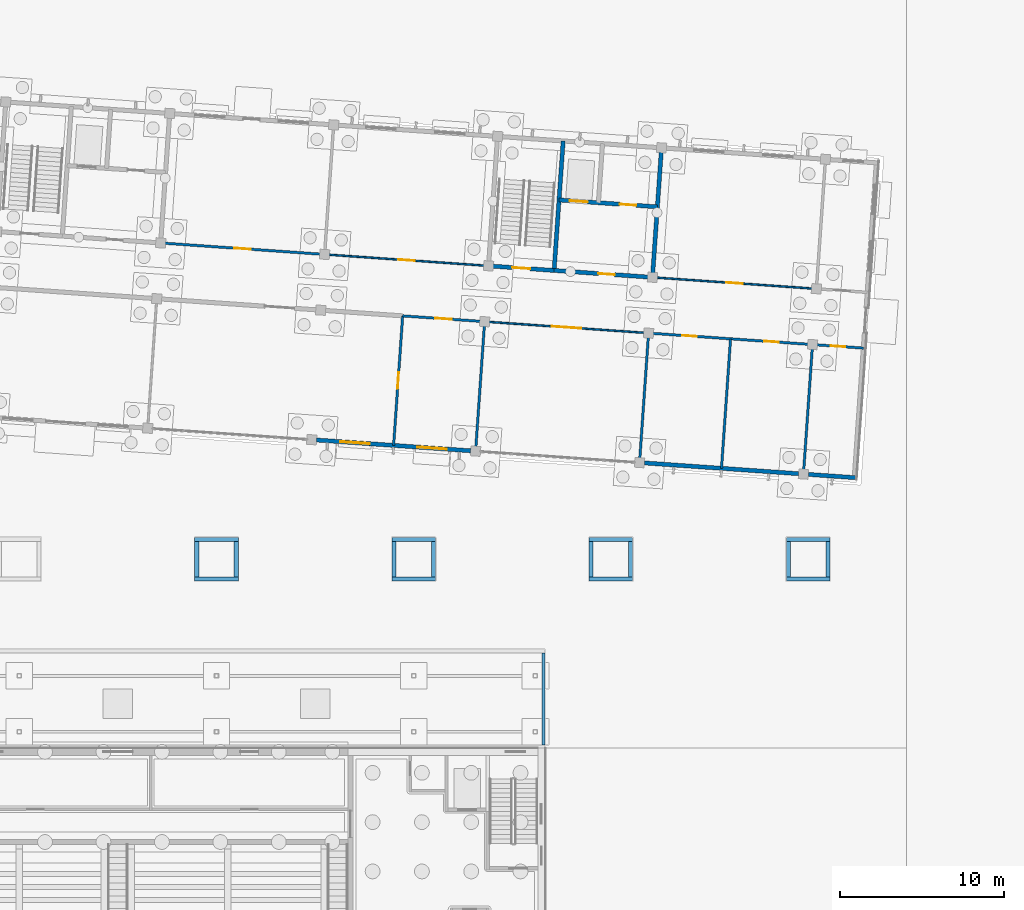
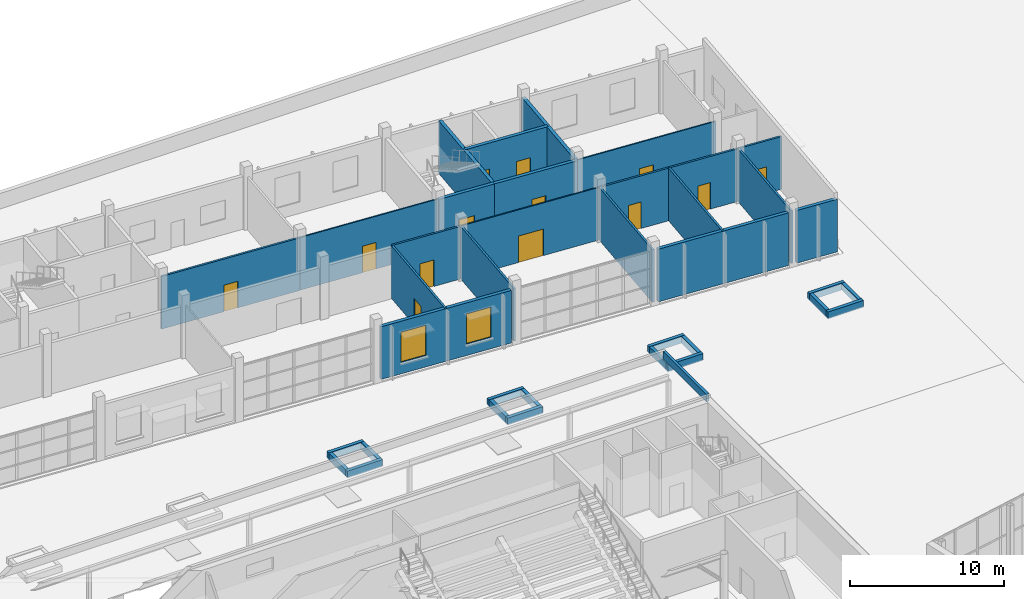
# One storey, part 106 of 157: 36 walls, 13 doors, 2 windows, 15 openings.
"""IFC4 building model written with IfcOpenShell, lengths in metres."""

from ifc_helpers import new_model, si_unit, direction, frame, frame_2d, origin, place, context, subcontext, project, spatial, rectangle, extrude, material, layer, layer_set, type_object, element, fill, save


model = new_model("IFC4")

# Units and contexts
model_context = context("Model", 3, precision=1e-05, world=origin(), true_north=direction((0.0, 1.0)))
body_context = subcontext(model_context, "Body", "Model", "MODEL_VIEW")
ifc_project = project(units=[si_unit("LENGTHUNIT", "METRE"), si_unit("AREAUNIT", "SQUARE_METRE"), si_unit("VOLUMEUNIT", "CUBIC_METRE"), si_unit("PLANEANGLEUNIT", "RADIAN"), si_unit("MASSUNIT", "GRAM", prefix="KILO")], contexts=[model_context])

# Site, building, storey
site_placement = place(None, origin())
site = spatial("IfcSite", under=ifc_project, at=site_placement, CompositionType="ELEMENT")
building_placement = place(site_placement, origin())
building = spatial("IfcBuilding", under=site, at=building_placement, Name="Windward Yard Aquatics Centre", CompositionType="ELEMENT")
storey_placement = place(building_placement, origin())
storey = spatial("IfcBuildingStorey", under=building, at=storey_placement, Name="L00", CompositionType="ELEMENT", Elevation=0.0)

# Walls
ifc_material_1 = material(Name="Concrete C35/45", Category="concrete")
ifc_layer_1 = layer(ifc_material_1, 0.199951171875)
ifc_layer_set_1 = layer_set([ifc_layer_1], Name="A arcade roof parapet 200")
wall_type_1 = type_object("IfcWallType", Name="A arcade roof parapet 200", PredefinedType="PARAPET", material=ifc_layer_set_1)
wall_1_placement = place(storey_placement, frame((151.89990234375, 96.199951171875, 4.60009765625), z_axis=(0.0, 0.0, 1.0), x_axis=(0.0, 1.0, 0.0)))
element("IfcWall", 1, at=wall_1_placement, inside=storey, type_object=wall_type_1, Name="A.W.PA.E", PredefinedType="PARAPET", context=body_context, shape_type="SweptSolid", body=[
    extrude(rectangle(XDim=5.60009765625, YDim=0.199951171875, at=frame_2d((2.800048828125, 0.0))), origin(), (0.0, 0.0, 1.0), 0.599853515625),
])
ifc_material_2 = material(Name="Concrete C40/50", Category="concrete")
ifc_layer_2 = layer(ifc_material_2, 0.25)
ifc_layer_set_2 = layer_set([ifc_layer_2], Name="W RC core wall 250 Concrete C40/50")
wall_type_2 = type_object("IfcWallType", Name="W RC core wall 250 Concrete C40/50", PredefinedType="SOLIDWALL", material=ifc_layer_set_2)
wall_2_placement = place(storey_placement, frame((152.544189453125, 125.068359375, 0.0), z_axis=(0.0, 0.0, 1.0), x_axis=(0.069782074492, 0.997562259751, 0.0)))
element("IfcWall", 2, at=wall_2_placement, inside=storey, type_object=wall_type_2, Name="W.WL.L00.012", PredefinedType="SOLIDWALL", context=body_context, shape_type="SweptSolid", body=[
    extrude(rectangle(XDim=7.89990234375, YDim=0.25, at=frame_2d((3.949951171875, 0.0))), origin(), (0.0, 0.0, 1.0), 4.169921875),
])
wall_3_placement = place(storey_placement, frame((158.52978515625, 124.649658203125, 0.0), z_axis=(0.0, 0.0, 1.0), x_axis=(0.0697491702, 0.997564560947, 0.0)))
element("IfcWall", 3, at=wall_3_placement, inside=storey, type_object=wall_type_2, Name="W.WL.L00.015", PredefinedType="SOLIDWALL", context=body_context, shape_type="SweptSolid", body=[
    extrude(rectangle(XDim=7.900146484375, YDim=0.25, at=frame_2d((3.9501953125, 0.0))), origin(), (0.0, 0.0, 1.0), 4.169921875),
])

# Wall, opening, door
wall_4_placement = place(storey_placement, frame((148.553955078125, 125.347412109375, 0.0), z_axis=(0.0, 0.0, 1.0), x_axis=(0.997563556766, -0.069763530677, 0.0)))
wall_4 = element("IfcWall", 4, at=wall_4_placement, inside=storey, type_object=wall_type_2, Name="W.WL.L00.028", PredefinedType="SOLIDWALL", context=body_context, shape_type="SweptSolid", body=[
    extrude(rectangle(XDim=4.0, YDim=0.25, at=frame_2d((2.0, 0.0))), origin(), (0.0, 0.0, 1.0), 4.169921875),
])
opening_1_placement = place(wall_4_placement, frame((1.449951171875, 0.0, 0.0)))
opening_1 = element("IfcOpeningElement", 5, at=opening_1_placement, cuts=wall_4, Name="Opening W0028", PredefinedType="OPENING", context=body_context, shape_type="SweptSolid", body=[
    extrude(rectangle(XDim=1.10009765625, YDim=2.10009765625, at=frame_2d((0.550048828125, 1.050048828125))), frame((0.0, 0.135009765625, 0.0), z_axis=(0.0, -1.0, 0.0), x_axis=(1.0, 0.0, 0.0)), (0.0, 0.0, 1.0), 0.27001953125),
])
ifc_material_3 = material(Name="Steel fire door leaf", Category="steel")
door_type_1 = type_object("IfcDoorType", Name="W stair door FD60 1100x2100", OperationType="SINGLE_SWING_LEFT", PredefinedType="DOOR", material=ifc_material_3)
door_1_placement = place(opening_1_placement, origin())
door_1 = element("IfcDoor", 6, at=door_1_placement, inside=storey, type_object=door_type_1, Name="W.DRI.L00.024", OperationType="SINGLE_SWING_RIGHT", OverallHeight=2.10009765625, OverallWidth=1.10009765625, PredefinedType="DOOR", context=body_context, shape_type="SweptSolid", body=[
    extrude(rectangle(XDim=1.10009765625, YDim=2.10009765625, at=frame_2d((0.550048828125, 1.050048828125))), frame((0.0, 0.02490234375, 0.0), z_axis=(0.0, -1.0, 0.0), x_axis=(1.0, 0.0, 0.0)), (0.0, 0.0, 1.0), 0.050048828125),
])
fill(opening_1, door_1)

wall_5_placement = place(storey_placement, frame((152.544189453125, 125.068359375, 0.0), z_axis=(0.0, 0.0, 1.0), x_axis=(0.997562338811, -0.069780944286, 0.0)))
wall_5 = element("IfcWall", 7, at=wall_5_placement, inside=storey, type_object=wall_type_2, Name="W.WL.L00.029", PredefinedType="SOLIDWALL", context=body_context, shape_type="SweptSolid", body=[
    extrude(rectangle(XDim=6.000244140625, YDim=0.25, at=frame_2d((3.0, 0.0))), origin(), (0.0, 0.0, 1.0), 4.169921875),
])
opening_2_placement = place(wall_5_placement, frame((2.699951171875, 0.0, 0.0)))
opening_2 = element("IfcOpeningElement", 8, at=opening_2_placement, cuts=wall_5, Name="Opening W0029", PredefinedType="OPENING", context=body_context, shape_type="SweptSolid", body=[
    extrude(rectangle(XDim=1.0, YDim=2.10009765625, at=frame_2d((0.5, 1.050048828125))), frame((0.0, 0.135009765625, 0.0), z_axis=(0.0, -1.0, 0.0), x_axis=(1.0, 0.0, 0.0)), (0.0, 0.0, 1.0), 0.27001953125),
])
door_type_2 = type_object("IfcDoorType", Name="W fire door FD60 1000x2100", OperationType="SINGLE_SWING_LEFT", PredefinedType="DOOR", material=ifc_material_3)
door_2_placement = place(opening_2_placement, origin())
door_2 = element("IfcDoor", 9, at=door_2_placement, inside=storey, type_object=door_type_2, Name="W.DRI.L00.025", OperationType="SINGLE_SWING_LEFT", OverallHeight=2.10009765625, OverallWidth=1.0, PredefinedType="DOOR", context=body_context, shape_type="SweptSolid", body=[
    extrude(rectangle(XDim=1.0, YDim=2.10009765625, at=frame_2d((0.5, 1.050048828125))), frame((0.0, 0.02490234375, 0.0), z_axis=(0.0, -1.0, 0.0), x_axis=(1.0, 0.0, 0.0)), (0.0, 0.0, 1.0), 0.050048828125),
])
fill(opening_2, door_2)

# Wall, openings, doors
wall_6_placement = place(storey_placement, frame((152.84423828125, 129.35791015625, 0.0), z_axis=(0.0, 0.0, 1.0), x_axis=(0.997562140671, -0.069783776768, 0.0)))
wall_6 = element("IfcWall", 10, at=wall_6_placement, inside=storey, type_object=wall_type_2, Name="W.WL.L00.033", PredefinedType="SOLIDWALL", context=body_context, shape_type="SweptSolid", body=[
    extrude(rectangle(XDim=6.0, YDim=0.25, at=frame_2d((3.0, 0.0))), origin(), (0.0, 0.0, 1.0), 4.169921875),
])
opening_3_placement = place(wall_6_placement, frame((3.699951171875, 0.0, 0.0)))
opening_3 = element("IfcOpeningElement", 11, at=opening_3_placement, cuts=wall_6, Name="Opening W0030", PredefinedType="OPENING", context=body_context, shape_type="SweptSolid", body=[
    extrude(rectangle(XDim=1.0, YDim=2.10009765625, at=frame_2d((0.5, 1.050048828125))), frame((0.0, 0.135009765625, 0.0), z_axis=(0.0, -1.0, 0.0), x_axis=(1.0, 0.0, 0.0)), (0.0, 0.0, 1.0), 0.27001953125),
])
opening_4_placement = place(wall_6_placement, frame((0.64990234375, 0.0, 0.0)))
opening_4 = element("IfcOpeningElement", 12, at=opening_4_placement, cuts=wall_6, Name="Opening W0031", PredefinedType="OPENING", context=body_context, shape_type="SweptSolid", body=[
    extrude(rectangle(XDim=1.10009765625, YDim=2.10009765625, at=frame_2d((0.550048828125, 1.050048828125))), frame((0.0, 0.135009765625, 0.0), z_axis=(0.0, -1.0, 0.0), x_axis=(1.0, 0.0, 0.0)), (0.0, 0.0, 1.0), 0.27001953125),
])
door_3_placement = place(opening_3_placement, origin())
door_3 = element("IfcDoor", 13, at=door_3_placement, inside=storey, type_object=door_type_2, Name="W.DRI.L00.026", OperationType="SINGLE_SWING_RIGHT", OverallHeight=2.10009765625, OverallWidth=1.0, PredefinedType="DOOR", context=body_context, shape_type="SweptSolid", body=[
    extrude(rectangle(XDim=1.0, YDim=2.10009765625, at=frame_2d((0.5, 1.050048828125))), frame((0.0, 0.02490234375, 0.0), z_axis=(0.0, -1.0, 0.0), x_axis=(1.0, 0.0, 0.0)), (0.0, 0.0, 1.0), 0.050048828125),
])
fill(opening_3, door_3)
ifc_material_4 = material(Name="Stainless steel sliding door leaf", Category="steel")
door_type_3 = type_object("IfcDoorType", Name="W lift landing door 1100x2100", OperationType="SLIDING_TO_LEFT", PredefinedType="DOOR", material=ifc_material_4)
door_4_placement = place(opening_4_placement, origin())
door_4 = element("IfcDoor", 14, at=door_4_placement, inside=storey, type_object=door_type_3, Name="Landing door E L00", OperationType="SLIDING_TO_LEFT", OverallHeight=2.10009765625, OverallWidth=1.10009765625, PredefinedType="DOOR", context=body_context, shape_type="SweptSolid", body=[
    extrude(rectangle(XDim=1.10009765625, YDim=2.10009765625, at=frame_2d((0.550048828125, 1.050048828125))), frame((0.0, 0.02490234375, 0.0), z_axis=(0.0, -1.0, 0.0), x_axis=(1.0, 0.0, 0.0)), (0.0, 0.0, 1.0), 0.050048828125),
])
fill(opening_4, door_4)

# Wall, openings, windows
ifc_layer_3 = layer(ifc_material_2, 0.25)
ifc_layer_set_3 = layer_set([ifc_layer_3], Name="W facade wall 250 Precast Concrete C40/50")
wall_type_3 = type_object("IfcWallType", Name="W facade wall 250 Precast Concrete C40/50", PredefinedType="SOLIDWALL", material=ifc_layer_set_3)
wall_7_placement = place(storey_placement, frame((138.08935546875, 114.75146484375, 0.0), z_axis=(0.0, 0.0, 1.0), x_axis=(0.997563722981, -0.069761153894, 0.0)))
wall_7 = element("IfcWall", 15, at=wall_7_placement, inside=storey, type_object=wall_type_3, Name="W.FW.L00.S.66.8", PredefinedType="SOLIDWALL", context=body_context, shape_type="SweptSolid", body=[
    extrude(rectangle(XDim=9.400146484375, YDim=0.25, at=frame_2d((4.7001953125, 0.0))), origin(), (0.0, 0.0, 1.0), 4.169921875),
])
opening_5_placement = place(wall_7_placement, frame((1.449951171875, 0.0, 0.89990234375)))
opening_5 = element("IfcOpeningElement", 16, at=opening_5_placement, cuts=wall_7, Name="Opening W0503", PredefinedType="OPENING", context=body_context, shape_type="SweptSolid", body=[
    extrude(rectangle(XDim=1.800048828125, YDim=2.39990234375, at=frame_2d((0.89990234375, 1.199951171875))), frame((0.0, 0.135009765625, 0.0), z_axis=(0.0, -1.0, 0.0), x_axis=(1.0, 0.0, 0.0)), (0.0, 0.0, 1.0), 0.27001953125),
])
opening_6_placement = place(wall_7_placement, frame((6.14990234375, 0.0, 0.89990234375)))
opening_6 = element("IfcOpeningElement", 17, at=opening_6_placement, cuts=wall_7, Name="Opening W0504", PredefinedType="OPENING", context=body_context, shape_type="SweptSolid", body=[
    extrude(rectangle(XDim=1.800048828125, YDim=2.39990234375, at=frame_2d((0.89990234375, 1.199951171875))), frame((0.0, 0.135009765625, 0.0), z_axis=(0.0, -1.0, 0.0), x_axis=(1.0, 0.0, 0.0)), (0.0, 0.0, 1.0), 0.27001953125),
])
ifc_material_5 = material(Name="Aluminium framed glazing", Category="aluminium")
window_type = type_object("IfcWindowType", Name="W window 1800x2400", PartitioningType="SINGLE_PANEL", PredefinedType="WINDOW", material=ifc_material_5)
window_1_placement = place(opening_5_placement, origin())
window_1 = element("IfcWindow", 18, at=window_1_placement, inside=storey, type_object=window_type, Name="W.WN.L00.W0503", OverallHeight=2.39990234375, OverallWidth=1.800048828125, PartitioningType="SINGLE_PANEL", PredefinedType="WINDOW", context=body_context, shape_type="SweptSolid", body=[
    extrude(rectangle(XDim=1.800048828125, YDim=2.39990234375, at=frame_2d((0.89990234375, 1.199951171875))), frame((0.0, 0.030029296875, 0.0), z_axis=(0.0, -1.0, 0.0), x_axis=(1.0, 0.0, 0.0)), (0.0, 0.0, 1.0), 0.06005859375),
])
fill(opening_5, window_1)
window_2_placement = place(opening_6_placement, origin())
window_2 = element("IfcWindow", 19, at=window_2_placement, inside=storey, type_object=window_type, Name="W.WN.L00.W0504", OverallHeight=2.39990234375, OverallWidth=1.800048828125, PartitioningType="SINGLE_PANEL", PredefinedType="WINDOW", context=body_context, shape_type="SweptSolid", body=[
    extrude(rectangle(XDim=1.800048828125, YDim=2.39990234375, at=frame_2d((0.89990234375, 1.199951171875))), frame((0.0, 0.030029296875, 0.0), z_axis=(0.0, -1.0, 0.0), x_axis=(1.0, 0.0, 0.0)), (0.0, 0.0, 1.0), 0.06005859375),
])
fill(opening_6, window_2)

# Walls
wall_8_placement = place(storey_placement, frame((158.040771484375, 113.356201171875, 0.0), z_axis=(0.0, 0.0, 1.0), x_axis=(0.997565403773, -0.069737114901, 0.0)))
element("IfcWall", 20, at=wall_8_placement, inside=storey, type_object=wall_type_3, Name="W.FW.L00.S.86.8", PredefinedType="SOLIDWALL", context=body_context, shape_type="SweptSolid", body=[
    extrude(rectangle(XDim=9.39990234375, YDim=0.25, at=frame_2d((4.699951171875, 0.0))), origin(), (0.0, 0.0, 1.0), 4.169921875),
])
wall_9_placement = place(storey_placement, frame((168.016357421875, 112.65869140625, 0.0), z_axis=(0.0, 0.0, 1.0), x_axis=(0.997562280272, -0.069781781132, 0.0)))
element("IfcWall", 21, at=wall_9_placement, inside=storey, type_object=wall_type_3, Name="W.FW.L00.S.96.8", PredefinedType="SOLIDWALL", context=body_context, shape_type="SweptSolid", body=[
    extrude(rectangle(XDim=2.9248046875, YDim=0.25, at=frame_2d((1.46240234375, 0.0))), origin(), (0.0, 0.0, 1.0), 4.169921875),
])

# Wall, opening, door
ifc_material_6 = material(Name="Plasterboard on steel stud partition", Category="steel")
ifc_layer_4 = layer(ifc_material_6, 0.10009765625)
ifc_layer_set_4 = layer_set([ifc_layer_4], Name="W partition 100")
wall_type_4 = type_object("IfcWallType", Name="W partition 100", PredefinedType="PARTITIONING", material=ifc_layer_set_4)
wall_10_placement = place(storey_placement, frame((148.31689453125, 121.95556640625, 0.0), z_axis=(0.0, 0.0, 1.0), x_axis=(0.997564406228, -0.069751382981, 0.0)))
wall_10 = element("IfcWall", 22, at=wall_10_placement, inside=storey, type_object=wall_type_4, Name="W.WL.L00.021", PredefinedType="PARTITIONING", context=body_context, shape_type="SweptSolid", body=[
    extrude(rectangle(XDim=10.0, YDim=0.10009765625, at=frame_2d((5.0, 0.0))), origin(), (0.0, 0.0, 1.0), 4.169921875),
])
opening_7_placement = place(wall_10_placement, frame((4.10009765625, 0.0, 0.0)))
opening_7 = element("IfcOpeningElement", 23, at=opening_7_placement, cuts=wall_10, Name="Opening W0014", PredefinedType="OPENING", context=body_context, shape_type="SweptSolid", body=[
    extrude(rectangle(XDim=1.800048828125, YDim=2.10009765625, at=frame_2d((0.89990234375, 1.050048828125))), frame((0.0, 0.06005859375, 0.0), z_axis=(0.0, -1.0, 0.0), x_axis=(1.0, 0.0, 0.0)), (0.0, 0.0, 1.0), 0.1201171875),
])
ifc_material_7 = material(Name="Timber door leaf", Category="wood")
door_type_4 = type_object("IfcDoorType", Name="W double door 1800x2100", OperationType="DOUBLE_DOOR_SINGLE_SWING", PredefinedType="DOOR", material=ifc_material_7)
door_5_placement = place(opening_7_placement, origin())
door_5 = element("IfcDoor", 24, at=door_5_placement, inside=storey, type_object=door_type_4, Name="W.DRI.L00.010", OperationType="DOUBLE_DOOR_SINGLE_SWING", OverallHeight=2.10009765625, OverallWidth=1.800048828125, PredefinedType="DOOR", context=body_context, shape_type="SweptSolid", body=[
    extrude(rectangle(XDim=1.800048828125, YDim=2.10009765625, at=frame_2d((0.89990234375, 1.050048828125))), frame((0.0, 0.02490234375, 0.0), z_axis=(0.0, -1.0, 0.0), x_axis=(1.0, 0.0, 0.0)), (0.0, 0.0, 1.0), 0.050048828125),
])
fill(opening_7, door_5)

wall_11_placement = place(storey_placement, frame((138.578369140625, 126.044921875, 0.0), z_axis=(0.0, 0.0, 1.0), x_axis=(0.997564406228, -0.069751382981, 0.0)))
wall_11 = element("IfcWall", 25, at=wall_11_placement, inside=storey, type_object=wall_type_4, Name="W.WL.L00.027", PredefinedType="PARTITIONING", context=body_context, shape_type="SweptSolid", body=[
    extrude(rectangle(XDim=10.0, YDim=0.10009765625, at=frame_2d((5.0, 0.0))), origin(), (0.0, 0.0, 1.0), 4.169921875),
])
opening_8_placement = place(wall_11_placement, frame((4.5, 0.0, 0.0)))
opening_8 = element("IfcOpeningElement", 26, at=opening_8_placement, cuts=wall_11, Name="Opening W0021", PredefinedType="OPENING", context=body_context, shape_type="SweptSolid", body=[
    extrude(rectangle(XDim=1.0, YDim=2.10009765625, at=frame_2d((0.5, 1.050048828125))), frame((0.0, 0.06005859375, 0.0), z_axis=(0.0, -1.0, 0.0), x_axis=(1.0, 0.0, 0.0)), (0.0, 0.0, 1.0), 0.1201171875),
])
door_type_5 = type_object("IfcDoorType", Name="W door 1000x2100", OperationType="SINGLE_SWING_LEFT", PredefinedType="DOOR", material=ifc_material_7)
door_6_placement = place(opening_8_placement, origin())
door_6 = element("IfcDoor", 27, at=door_6_placement, inside=storey, type_object=door_type_5, Name="W.DRI.L00.017", OperationType="SINGLE_SWING_LEFT", OverallHeight=2.10009765625, OverallWidth=1.0, PredefinedType="DOOR", context=body_context, shape_type="SweptSolid", body=[
    extrude(rectangle(XDim=1.0, YDim=2.10009765625, at=frame_2d((0.5, 1.050048828125))), frame((0.0, 0.02490234375, 0.0), z_axis=(0.0, -1.0, 0.0), x_axis=(1.0, 0.0, 0.0)), (0.0, 0.0, 1.0), 0.050048828125),
])
fill(opening_8, door_6)

wall_12_placement = place(storey_placement, frame((158.52978515625, 124.649658203125, 0.0), z_axis=(0.0, 0.0, 1.0), x_axis=(0.997564406228, -0.069751382981, 0.0)))
wall_12 = element("IfcWall", 28, at=wall_12_placement, inside=storey, type_object=wall_type_4, Name="W.WL.L00.030", PredefinedType="PARTITIONING", context=body_context, shape_type="SweptSolid", body=[
    extrude(rectangle(XDim=10.0, YDim=0.10009765625, at=frame_2d((5.0, 0.0))), origin(), (0.0, 0.0, 1.0), 4.169921875),
])
opening_9_placement = place(wall_12_placement, frame((4.5, 0.0, 0.0)))
opening_9 = element("IfcOpeningElement", 29, at=opening_9_placement, cuts=wall_12, Name="Opening W0022", PredefinedType="OPENING", context=body_context, shape_type="SweptSolid", body=[
    extrude(rectangle(XDim=1.0, YDim=2.10009765625, at=frame_2d((0.5, 1.050048828125))), frame((0.0, 0.06005859375, 0.0), z_axis=(0.0, -1.0, 0.0), x_axis=(1.0, 0.0, 0.0)), (0.0, 0.0, 1.0), 0.1201171875),
])
door_7_placement = place(opening_9_placement, origin())
door_7 = element("IfcDoor", 30, at=door_7_placement, inside=storey, type_object=door_type_5, Name="W.DRI.L00.018", OperationType="SINGLE_SWING_RIGHT", OverallHeight=2.10009765625, OverallWidth=1.0, PredefinedType="DOOR", context=body_context, shape_type="SweptSolid", body=[
    extrude(rectangle(XDim=1.0, YDim=2.10009765625, at=frame_2d((0.5, 1.050048828125))), frame((0.0, 0.02490234375, 0.0), z_axis=(0.0, -1.0, 0.0), x_axis=(1.0, 0.0, 0.0)), (0.0, 0.0, 1.0), 0.050048828125),
])
fill(opening_9, door_7)

ifc_material_8 = material(Name="Blockwork partition", Category="masonry")
ifc_layer_5 = layer(ifc_material_8, 0.14990234375)
ifc_layer_set_5 = layer_set([ifc_layer_5], Name="W partition 150 fire rated")
wall_type_5 = type_object("IfcWallType", Name="W partition 150 fire rated", PredefinedType="PARTITIONING", material=ifc_layer_set_5)
wall_13_placement = place(storey_placement, frame((128.602783203125, 126.742431640625, 0.0), z_axis=(0.0, 0.0, 1.0), x_axis=(0.997564406228, -0.069751382981, 0.0)))
wall_13 = element("IfcWall", 31, at=wall_13_placement, inside=storey, type_object=wall_type_5, Name="W.WL.L00.026", PredefinedType="PARTITIONING", context=body_context, shape_type="SweptSolid", body=[
    extrude(rectangle(XDim=10.0, YDim=0.14990234375, at=frame_2d((5.0, 0.0))), origin(), (0.0, 0.0, 1.0), 4.169921875),
])
opening_10_placement = place(wall_13_placement, frame((4.5, 0.0, 0.0)))
opening_10 = element("IfcOpeningElement", 32, at=opening_10_placement, cuts=wall_13, Name="Opening W0020", PredefinedType="OPENING", context=body_context, shape_type="SweptSolid", body=[
    extrude(rectangle(XDim=1.0, YDim=2.10009765625, at=frame_2d((0.5, 1.050048828125))), frame((0.0, 0.0849609375, 0.0), z_axis=(0.0, -1.0, 0.0), x_axis=(1.0, 0.0, 0.0)), (0.0, 0.0, 1.0), 0.169921875),
])
door_8_placement = place(opening_10_placement, origin())
door_8 = element("IfcDoor", 33, at=door_8_placement, inside=storey, type_object=door_type_2, Name="W.DRI.L00.016", OperationType="SINGLE_SWING_RIGHT", OverallHeight=2.10009765625, OverallWidth=1.0, PredefinedType="DOOR", context=body_context, shape_type="SweptSolid", body=[
    extrude(rectangle(XDim=1.0, YDim=2.10009765625, at=frame_2d((0.5, 1.050048828125))), frame((0.0, 0.02490234375, 0.0), z_axis=(0.0, -1.0, 0.0), x_axis=(1.0, 0.0, 0.0)), (0.0, 0.0, 1.0), 0.050048828125),
])
fill(opening_10, door_8)

ifc_material_9 = material(Name="Blockwork partition with tiled finish", Category="masonry")
ifc_layer_6 = layer(ifc_material_9, 0.14990234375)
ifc_layer_set_6 = layer_set([ifc_layer_6], Name="W partition 150 wet area")
wall_type_6 = type_object("IfcWallType", Name="W partition 150 wet area", PredefinedType="PARTITIONING", material=ifc_layer_set_6)
wall_14_placement = place(storey_placement, frame((142.778076171875, 114.423583984375, 0.0), z_axis=(0.0, 0.0, 1.0), x_axis=(0.0697491702, 0.997564560947, 0.0)))
wall_14 = element("IfcWall", 34, at=wall_14_placement, inside=storey, type_object=wall_type_6, Name="W.WL.L00.009", PredefinedType="PARTITIONING", context=body_context, shape_type="SweptSolid", body=[
    extrude(rectangle(XDim=7.900146484375, YDim=0.14990234375, at=frame_2d((3.9501953125, 0.0))), origin(), (0.0, 0.0, 1.0), 4.169921875),
])
opening_11_placement = place(wall_14_placement, frame((3.449951171875, 0.0, 0.0)))
opening_11 = element("IfcOpeningElement", 35, at=opening_11_placement, cuts=wall_14, Name="Opening W0013", PredefinedType="OPENING", context=body_context, shape_type="SweptSolid", body=[
    extrude(rectangle(XDim=1.0, YDim=2.10009765625, at=frame_2d((0.5, 1.050048828125))), frame((0.0, 0.0849609375, 0.0), z_axis=(0.0, -1.0, 0.0), x_axis=(1.0, 0.0, 0.0)), (0.0, 0.0, 1.0), 0.169921875),
])
door_9_placement = place(opening_11_placement, origin())
door_9 = element("IfcDoor", 36, at=door_9_placement, inside=storey, type_object=door_type_5, Name="W.DRI.L00.009", OperationType="SINGLE_SWING_LEFT", OverallHeight=2.10009765625, OverallWidth=1.0, PredefinedType="DOOR", context=body_context, shape_type="SweptSolid", body=[
    extrude(rectangle(XDim=1.0, YDim=2.10009765625, at=frame_2d((0.5, 1.050048828125))), frame((0.0, 0.02490234375, 0.0), z_axis=(0.0, -1.0, 0.0), x_axis=(1.0, 0.0, 0.0)), (0.0, 0.0, 1.0), 0.050048828125),
])
fill(opening_11, door_9)

# Walls
for number, where, z_axis, x_axis, name in (
    (37, (147.765869140625, 114.07470703125, 0.0), (0.0, 0.0, 1.0), (0.0697491702, 0.997564560947, 0.0), "W.WL.L00.010"),
    (38, (157.741455078125, 113.377197265625, 0.0), (0.0, 0.0, 1.0), (0.0697491702, 0.997564560947, 0.0), "W.WL.L00.014"),
):
    element("IfcWall", number, at=place(storey_placement, frame(where, z_axis=z_axis, x_axis=x_axis)), inside=storey, type_object=wall_type_6, Name=name, PredefinedType="PARTITIONING", context=body_context, shape_type="SweptSolid", body=[
        extrude(rectangle(XDim=7.900146484375, YDim=0.14990234375, at=frame_2d((3.9501953125, 0.0))), origin(), (0.0, 0.0, 1.0), 4.169921875),
    ])
wall_15_placement = place(storey_placement, frame((162.729248046875, 113.028564453125, 0.0), z_axis=(0.0, 0.0, 1.0), x_axis=(0.069751320509, 0.997564410596, 0.0)))
element("IfcWall", 39, at=wall_15_placement, inside=storey, type_object=wall_type_6, Name="W.WL.L00.016", PredefinedType="PARTITIONING", context=body_context, shape_type="SweptSolid", body=[
    extrude(rectangle(XDim=7.89990234375, YDim=0.14990234375, at=frame_2d((3.949951171875, 0.0))), origin(), (0.0, 0.0, 1.0), 4.169921875),
])
wall_16_placement = place(storey_placement, frame((167.717041015625, 112.6796875, 0.0), z_axis=(0.0, 0.0, 1.0), x_axis=(0.0697491702, 0.997564560947, 0.0)))
element("IfcWall", 40, at=wall_16_placement, inside=storey, type_object=wall_type_6, Name="W.WL.L00.017", PredefinedType="PARTITIONING", context=body_context, shape_type="SweptSolid", body=[
    extrude(rectangle(XDim=7.900146484375, YDim=0.14990234375, at=frame_2d((3.9501953125, 0.0))), origin(), (0.0, 0.0, 1.0), 4.169921875),
])

# Wall, opening, door
wall_17_placement = place(storey_placement, frame((143.3291015625, 122.304443359375, 0.0), z_axis=(0.0, 0.0, 1.0), x_axis=(0.997562707158, -0.069775678342, 0.0)))
wall_17 = element("IfcWall", 41, at=wall_17_placement, inside=storey, type_object=wall_type_6, Name="W.WL.L00.020", PredefinedType="PARTITIONING", context=body_context, shape_type="SweptSolid", body=[
    extrude(rectangle(XDim=5.0, YDim=0.14990234375, at=frame_2d((2.5, 0.0))), origin(), (0.0, 0.0, 1.0), 4.169921875),
])
opening_12_placement = place(wall_17_placement, frame((2.0, 0.0, 0.0)))
opening_12 = element("IfcOpeningElement", 42, at=opening_12_placement, cuts=wall_17, Name="Opening W0012", PredefinedType="OPENING", context=body_context, shape_type="SweptSolid", body=[
    extrude(rectangle(XDim=1.0, YDim=2.10009765625, at=frame_2d((0.5, 1.050048828125))), frame((0.0, 0.0849609375, 0.0), z_axis=(0.0, -1.0, 0.0), x_axis=(1.0, 0.0, 0.0)), (0.0, 0.0, 1.0), 0.169921875),
])
door_10_placement = place(opening_12_placement, origin())
door_10 = element("IfcDoor", 43, at=door_10_placement, inside=storey, type_object=door_type_5, Name="W.DRI.L00.008", OperationType="SINGLE_SWING_RIGHT", OverallHeight=2.10009765625, OverallWidth=1.0, PredefinedType="DOOR", context=body_context, shape_type="SweptSolid", body=[
    extrude(rectangle(XDim=1.0, YDim=2.10009765625, at=frame_2d((0.5, 1.050048828125))), frame((0.0, 0.02490234375, 0.0), z_axis=(0.0, -1.0, 0.0), x_axis=(1.0, 0.0, 0.0)), (0.0, 0.0, 1.0), 0.050048828125),
])
fill(opening_12, door_10)

# Wall, openings, doors
wall_18_placement = place(storey_placement, frame((158.29248046875, 121.258056640625, 0.0), z_axis=(0.0, 0.0, 1.0), x_axis=(0.997564014548, -0.069756984446, 0.0)))
wall_18 = element("IfcWall", 44, at=wall_18_placement, inside=storey, type_object=wall_type_6, Name="W.WL.L00.022", PredefinedType="PARTITIONING", context=body_context, shape_type="SweptSolid", body=[
    extrude(rectangle(XDim=13.10009765625, YDim=0.14990234375, at=frame_2d((6.550048828125, 0.0))), origin(), (0.0, 0.0, 1.0), 4.169921875),
])
opening_13_placement = place(wall_18_placement, frame((2.050048828125, 0.0, 0.0)))
opening_13 = element("IfcOpeningElement", 45, at=opening_13_placement, cuts=wall_18, Name="Opening W0015", PredefinedType="OPENING", context=body_context, shape_type="SweptSolid", body=[
    extrude(rectangle(XDim=0.89990234375, YDim=2.10009765625, at=frame_2d((0.449951171875, 1.050048828125))), frame((0.0, 0.0849609375, 0.0), z_axis=(0.0, -1.0, 0.0), x_axis=(1.0, 0.0, 0.0)), (0.0, 0.0, 1.0), 0.169921875),
])
opening_14_placement = place(wall_18_placement, frame((7.050048828125, 0.0, 0.0)))
opening_14 = element("IfcOpeningElement", 46, at=opening_14_placement, cuts=wall_18, Name="Opening W0016", PredefinedType="OPENING", context=body_context, shape_type="SweptSolid", body=[
    extrude(rectangle(XDim=0.89990234375, YDim=2.10009765625, at=frame_2d((0.449951171875, 1.050048828125))), frame((0.0, 0.0849609375, 0.0), z_axis=(0.0, -1.0, 0.0), x_axis=(1.0, 0.0, 0.0)), (0.0, 0.0, 1.0), 0.169921875),
])
opening_15_placement = place(wall_18_placement, frame((11.10009765625, 0.0, 0.0)))
opening_15 = element("IfcOpeningElement", 47, at=opening_15_placement, cuts=wall_18, Name="Opening W0017", PredefinedType="OPENING", context=body_context, shape_type="SweptSolid", body=[
    extrude(rectangle(XDim=0.89990234375, YDim=2.10009765625, at=frame_2d((0.449951171875, 1.050048828125))), frame((0.0, 0.0849609375, 0.0), z_axis=(0.0, -1.0, 0.0), x_axis=(1.0, 0.0, 0.0)), (0.0, 0.0, 1.0), 0.169921875),
])
door_type_6 = type_object("IfcDoorType", Name="W door 900x2100", OperationType="SINGLE_SWING_LEFT", PredefinedType="DOOR", material=ifc_material_7)
door_11_placement = place(opening_13_placement, origin())
door_11 = element("IfcDoor", 48, at=door_11_placement, inside=storey, type_object=door_type_6, Name="W.DRI.L00.011", OperationType="SINGLE_SWING_LEFT", OverallHeight=2.10009765625, OverallWidth=0.89990234375, PredefinedType="DOOR", context=body_context, shape_type="SweptSolid", body=[
    extrude(rectangle(XDim=0.89990234375, YDim=2.10009765625, at=frame_2d((0.449951171875, 1.050048828125))), frame((0.0, 0.02490234375, 0.0), z_axis=(0.0, -1.0, 0.0), x_axis=(1.0, 0.0, 0.0)), (0.0, 0.0, 1.0), 0.050048828125),
])
fill(opening_13, door_11)
door_12_placement = place(opening_14_placement, origin())
door_12 = element("IfcDoor", 49, at=door_12_placement, inside=storey, type_object=door_type_6, Name="W.DRI.L00.012", OperationType="SINGLE_SWING_RIGHT", OverallHeight=2.10009765625, OverallWidth=0.89990234375, PredefinedType="DOOR", context=body_context, shape_type="SweptSolid", body=[
    extrude(rectangle(XDim=0.89990234375, YDim=2.10009765625, at=frame_2d((0.449951171875, 1.050048828125))), frame((0.0, 0.02490234375, 0.0), z_axis=(0.0, -1.0, 0.0), x_axis=(1.0, 0.0, 0.0)), (0.0, 0.0, 1.0), 0.050048828125),
])
fill(opening_14, door_12)
door_13_placement = place(opening_15_placement, origin())
door_13 = element("IfcDoor", 50, at=door_13_placement, inside=storey, type_object=door_type_6, Name="W.DRI.L00.013", OperationType="SINGLE_SWING_LEFT", OverallHeight=2.10009765625, OverallWidth=0.89990234375, PredefinedType="DOOR", context=body_context, shape_type="SweptSolid", body=[
    extrude(rectangle(XDim=0.89990234375, YDim=2.10009765625, at=frame_2d((0.449951171875, 1.050048828125))), frame((0.0, 0.02490234375, 0.0), z_axis=(0.0, -1.0, 0.0), x_axis=(1.0, 0.0, 0.0)), (0.0, 0.0, 1.0), 0.050048828125),
])
fill(opening_15, door_13)

# Walls
ifc_material_10 = material(Name="Bituminous waterproofing membrane with root barrier")
ifc_layer_7 = layer(ifc_material_10, 0.005, Name="Waterproofing and root barrier")
ifc_material_11 = material(Name="Concrete C30/37", Category="concrete")
ifc_layer_8 = layer(ifc_material_11, 0.245, Name="Structure")
ifc_layer_set_7 = layer_set([ifc_layer_7, ifc_layer_8], Name="X Planter Wall Concrete C30/37 250 x 550")
wall_type_7 = type_object("IfcWallType", Name="X Planter Wall Concrete C30/37 250 x 550", PredefinedType="USERDEFINED", material=ifc_layer_set_7)
for number, where, z_axis, x_axis, name in (
    (51, (130.675048828125, 106.300048828125, -0.10009765625), (0.0, 0.0, 1.0), (1.0, 0.0, 0.0), "Tree well planter wall"),
    (52, (130.675048828125, 108.699951171875, -0.10009765625), (0.0, 0.0, 1.0), (1.0, 0.0, 0.0), "Tree well planter wall"),
):
    element("IfcWall", number, at=place(storey_placement, frame(where, z_axis=z_axis, x_axis=x_axis)), inside=storey, type_object=wall_type_7, Name=name, ObjectType="PLANTER WALL", PredefinedType="USERDEFINED", context=body_context, shape_type="SweptSolid", body=[
        extrude(rectangle(XDim=2.64990234375, YDim=0.25, at=frame_2d((1.324951171875, 0.0))), origin(), (0.0, 0.0, 1.0), 0.550048828125),
    ])
for number, where, z_axis, x_axis, name in (
    (53, (130.800048828125, 106.425048828125, -0.10009765625), (0.0, 0.0, 1.0), (0.0, 1.0, 0.0), "Tree well planter wall"),
    (54, (133.199951171875, 106.425048828125, -0.10009765625), (0.0, 0.0, 1.0), (0.0, 1.0, 0.0), "Tree well planter wall"),
):
    element("IfcWall", number, at=place(storey_placement, frame(where, z_axis=z_axis, x_axis=x_axis)), inside=storey, type_object=wall_type_7, Name=name, ObjectType="PLANTER WALL", PredefinedType="USERDEFINED", context=body_context, shape_type="SweptSolid", body=[
        extrude(rectangle(XDim=2.14990234375, YDim=0.25, at=frame_2d((1.074951171875, 0.0))), origin(), (0.0, 0.0, 1.0), 0.550048828125),
    ])
for number, where, z_axis, x_axis, name in (
    (55, (142.675048828125, 106.300048828125, -0.10009765625), (0.0, 0.0, 1.0), (1.0, 0.0, 0.0), "Tree well planter wall"),
    (56, (142.675048828125, 108.699951171875, -0.10009765625), (0.0, 0.0, 1.0), (1.0, 0.0, 0.0), "Tree well planter wall"),
):
    element("IfcWall", number, at=place(storey_placement, frame(where, z_axis=z_axis, x_axis=x_axis)), inside=storey, type_object=wall_type_7, Name=name, ObjectType="PLANTER WALL", PredefinedType="USERDEFINED", context=body_context, shape_type="SweptSolid", body=[
        extrude(rectangle(XDim=2.64990234375, YDim=0.25, at=frame_2d((1.324951171875, 0.0))), origin(), (0.0, 0.0, 1.0), 0.550048828125),
    ])
for number, where, z_axis, x_axis, name in (
    (57, (142.800048828125, 106.425048828125, -0.10009765625), (0.0, 0.0, 1.0), (0.0, 1.0, 0.0), "Tree well planter wall"),
    (58, (145.199951171875, 106.425048828125, -0.10009765625), (0.0, 0.0, 1.0), (0.0, 1.0, 0.0), "Tree well planter wall"),
):
    element("IfcWall", number, at=place(storey_placement, frame(where, z_axis=z_axis, x_axis=x_axis)), inside=storey, type_object=wall_type_7, Name=name, ObjectType="PLANTER WALL", PredefinedType="USERDEFINED", context=body_context, shape_type="SweptSolid", body=[
        extrude(rectangle(XDim=2.14990234375, YDim=0.25, at=frame_2d((1.074951171875, 0.0))), origin(), (0.0, 0.0, 1.0), 0.550048828125),
    ])
for number, where, z_axis, x_axis, name in (
    (59, (154.675048828125, 106.300048828125, -0.10009765625), (0.0, 0.0, 1.0), (1.0, 0.0, 0.0), "Tree well planter wall"),
    (60, (154.675048828125, 108.699951171875, -0.10009765625), (0.0, 0.0, 1.0), (1.0, 0.0, 0.0), "Tree well planter wall"),
):
    element("IfcWall", number, at=place(storey_placement, frame(where, z_axis=z_axis, x_axis=x_axis)), inside=storey, type_object=wall_type_7, Name=name, ObjectType="PLANTER WALL", PredefinedType="USERDEFINED", context=body_context, shape_type="SweptSolid", body=[
        extrude(rectangle(XDim=2.64990234375, YDim=0.25, at=frame_2d((1.324951171875, 0.0))), origin(), (0.0, 0.0, 1.0), 0.550048828125),
    ])
for number, where, z_axis, x_axis, name in (
    (61, (154.800048828125, 106.425048828125, -0.10009765625), (0.0, 0.0, 1.0), (0.0, 1.0, 0.0), "Tree well planter wall"),
    (62, (157.199951171875, 106.425048828125, -0.10009765625), (0.0, 0.0, 1.0), (0.0, 1.0, 0.0), "Tree well planter wall"),
):
    element("IfcWall", number, at=place(storey_placement, frame(where, z_axis=z_axis, x_axis=x_axis)), inside=storey, type_object=wall_type_7, Name=name, ObjectType="PLANTER WALL", PredefinedType="USERDEFINED", context=body_context, shape_type="SweptSolid", body=[
        extrude(rectangle(XDim=2.14990234375, YDim=0.25, at=frame_2d((1.074951171875, 0.0))), origin(), (0.0, 0.0, 1.0), 0.550048828125),
    ])
for number, where, z_axis, x_axis, name in (
    (63, (166.675048828125, 106.300048828125, -0.10009765625), (0.0, 0.0, 1.0), (1.0, 0.0, 0.0), "Tree well planter wall"),
    (64, (166.675048828125, 108.699951171875, -0.10009765625), (0.0, 0.0, 1.0), (1.0, 0.0, 0.0), "Tree well planter wall"),
):
    element("IfcWall", number, at=place(storey_placement, frame(where, z_axis=z_axis, x_axis=x_axis)), inside=storey, type_object=wall_type_7, Name=name, ObjectType="PLANTER WALL", PredefinedType="USERDEFINED", context=body_context, shape_type="SweptSolid", body=[
        extrude(rectangle(XDim=2.64990234375, YDim=0.25, at=frame_2d((1.324951171875, 0.0))), origin(), (0.0, 0.0, 1.0), 0.550048828125),
    ])
for number, where, z_axis, x_axis, name in (
    (65, (166.800048828125, 106.425048828125, -0.10009765625), (0.0, 0.0, 1.0), (0.0, 1.0, 0.0), "Tree well planter wall"),
    (66, (169.199951171875, 106.425048828125, -0.10009765625), (0.0, 0.0, 1.0), (0.0, 1.0, 0.0), "Tree well planter wall"),
):
    element("IfcWall", number, at=place(storey_placement, frame(where, z_axis=z_axis, x_axis=x_axis)), inside=storey, type_object=wall_type_7, Name=name, ObjectType="PLANTER WALL", PredefinedType="USERDEFINED", context=body_context, shape_type="SweptSolid", body=[
        extrude(rectangle(XDim=2.14990234375, YDim=0.25, at=frame_2d((1.074951171875, 0.0))), origin(), (0.0, 0.0, 1.0), 0.550048828125),
    ])

save(model, "model.ifc")
